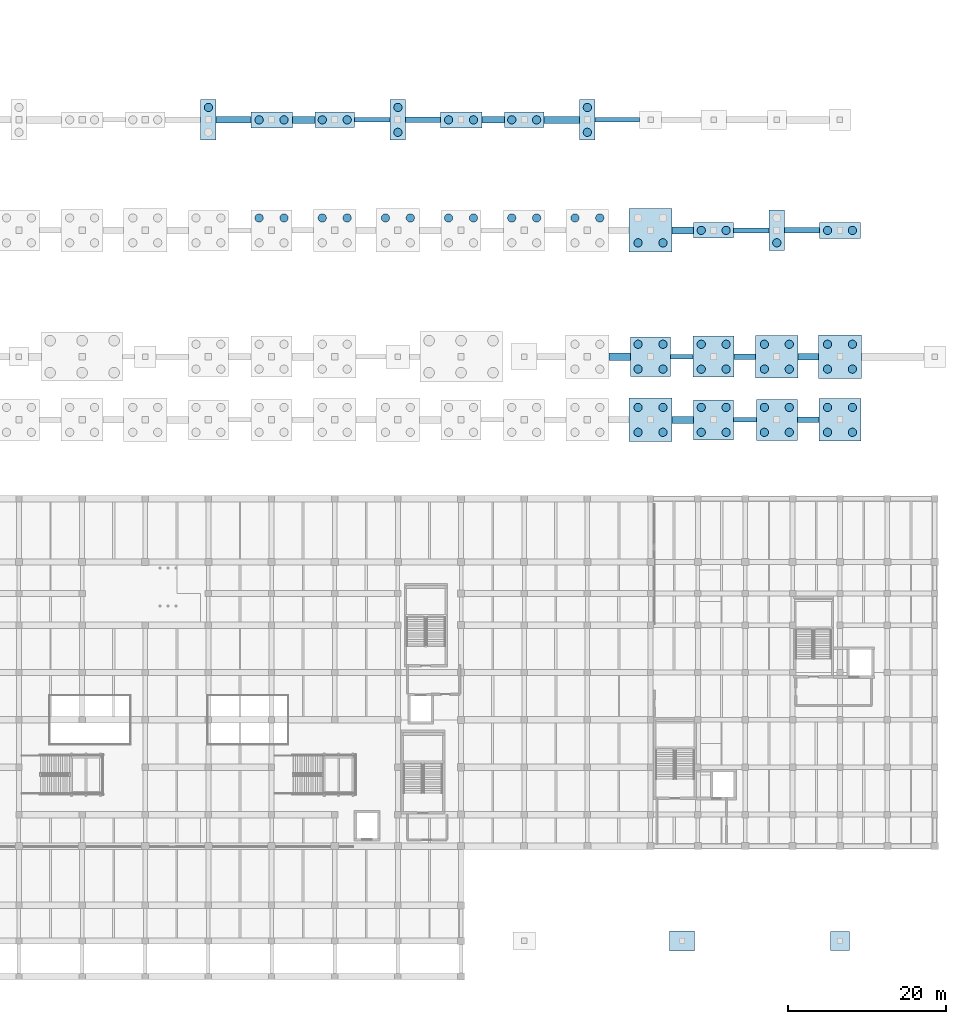
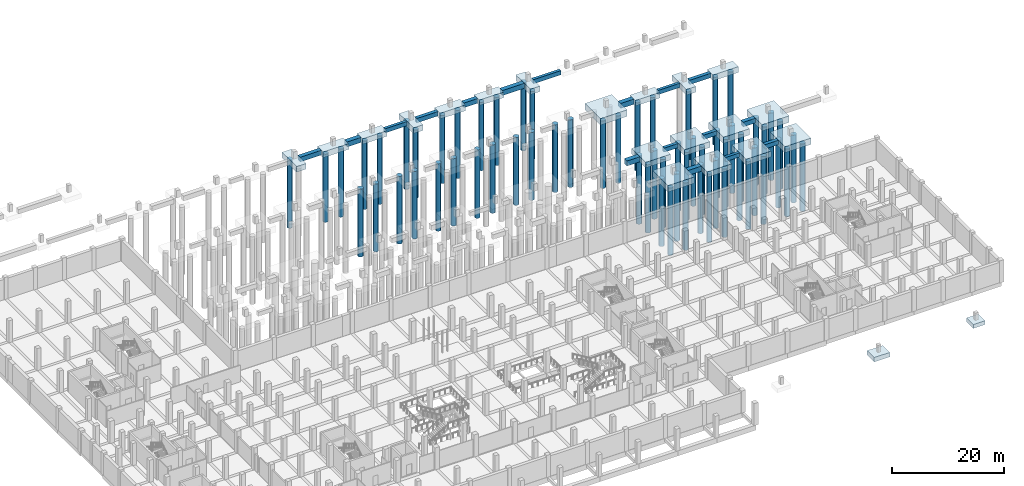
# One storey, part 3 of 36: 64 piles, 38 footings.
"""IFC4 building model written with IfcOpenShell, lengths in metres."""

from ifc_helpers import new_model, si_unit, direction, frame, origin, origin_2d, place, context, subcontext, project, spatial, rectangle, circle, extrude, material, material_profile, profile_set, type_object, element, save


model = new_model("IFC4")

# Units and contexts
model_context = context("Model", 3, precision=1e-05, world=origin(), true_north=direction((0.0, 1.0)))
body_context = subcontext(model_context, "Body", "Model", "MODEL_VIEW")
ifc_project = project(units=[si_unit("LENGTHUNIT", "METRE"), si_unit("AREAUNIT", "SQUARE_METRE"), si_unit("VOLUMEUNIT", "CUBIC_METRE"), si_unit("PLANEANGLEUNIT", "RADIAN"), si_unit("MASSUNIT", "GRAM", prefix="KILO")], contexts=[model_context])

# Site, building, storey
site_placement = place(None, origin())
site = spatial("IfcSite", under=ifc_project, at=site_placement, CompositionType="ELEMENT")
building_placement = place(site_placement, origin())
building = spatial("IfcBuilding", under=site, at=building_placement, Name="Verrall Gate Interchange", CompositionType="ELEMENT")
storey_placement = place(building_placement, frame((0.0, 0.0, -4.800048828125)))
storey = spatial("IfcBuildingStorey", under=building, at=storey_placement, Name="B1", CompositionType="ELEMENT", Elevation=-4.800048828125)

# Footings
ifc_material_1 = material(Name="Concrete CSA A23.1 35 MPa (Class S-2)", Category="concrete")
footing_type_1 = type_object("IfcFootingType", Name="PC-02A Pile Cap 5050x1950x1200", PredefinedType="PILE_CAP", material=ifc_material_1)
for number, where, z_axis, x_axis, name in (
    (1, (140.0, 90.0, 2.0), (0.0, 0.0, 1.0), (1.0, 0.0, 0.0), "Pile Cap FTG-CAP-39 (PC-02A)"),
    (2, (92.0, 104.0, 2.0), (0.0, 0.0, 1.0), (1.0, 0.0, 0.0), "Pile Cap FTG-CAP-48 (PC-02A)"),
    (3, (116.0, 104.0, 2.0), (0.0, 0.0, 1.0), (1.0, 0.0, 0.0), "Pile Cap FTG-CAP-51 (PC-02A)"),
):
    element("IfcFooting", number, at=place(storey_placement, frame(where, z_axis=z_axis, x_axis=x_axis)), inside=storey, type_object=footing_type_1, Name=name, PredefinedType="PILE_CAP", context=body_context, shape_type="SweptSolid", body=[
        extrude(rectangle(XDim=5.050048828125, YDim=1.949951171875, at=origin_2d()), origin(), (0.0, 0.0, 1.0), 1.199951171875),
    ])
ifc_material_2 = material(Name="Concrete CSA A23.1 35 MPa (Class S-2)", Category="concrete")
footing_type_2 = type_object("IfcFootingType", Name="PC-02B Pile Cap 1950x5150x1220", PredefinedType="PILE_CAP", material=ifc_material_2)
for number, where, z_axis, x_axis, name in (
    (4, (148.0, 90.0, 1.97998046875), (0.0, 0.0, 1.0), (1.0, 0.0, 0.0), "Pile Cap FTG-CAP-40 (PC-02B)"),
    (5, (76.0, 104.0, 1.97998046875), (0.0, 0.0, 1.0), (1.0, 0.0, 0.0), "Pile Cap FTG-CAP-46 (PC-02B)"),
    (6, (100.0, 104.0, 1.97998046875), (0.0, 0.0, 1.0), (1.0, 0.0, 0.0), "Pile Cap FTG-CAP-49 (PC-02B)"),
    (7, (124.0, 104.0, 1.97998046875), (0.0, 0.0, 1.0), (1.0, 0.0, 0.0), "Pile Cap FTG-CAP-52 (PC-02B)"),
):
    element("IfcFooting", number, at=place(storey_placement, frame(where, z_axis=z_axis, x_axis=x_axis)), inside=storey, type_object=footing_type_2, Name=name, PredefinedType="PILE_CAP", context=body_context, shape_type="SweptSolid", body=[
        extrude(rectangle(XDim=1.949951171875, YDim=5.14990234375, at=origin_2d()), origin(), (0.0, 0.0, 1.0), 1.219970703125),
    ])
ifc_material_3 = material(Name="Concrete CSA A23.1 35 MPa (Class S-2)", Category="concrete")
footing_type_3 = type_object("IfcFootingType", Name="PC-02C Pile Cap 5250x2050x1250", PredefinedType="PILE_CAP", material=ifc_material_3)
for number, where, z_axis, x_axis, name in (
    (8, (156.0, 90.0, 1.949951171875), (0.0, 0.0, 1.0), (1.0, 0.0, 0.0), "Pile Cap FTG-CAP-41 (PC-02C)"),
    (9, (84.0, 104.0, 1.949951171875), (0.0, 0.0, 1.0), (1.0, 0.0, 0.0), "Pile Cap FTG-CAP-47 (PC-02C)"),
    (10, (108.0, 104.0, 1.949951171875), (0.0, 0.0, 1.0), (1.0, 0.0, 0.0), "Pile Cap FTG-CAP-50 (PC-02C)"),
):
    element("IfcFooting", number, at=place(storey_placement, frame(where, z_axis=z_axis, x_axis=x_axis)), inside=storey, type_object=footing_type_3, Name=name, PredefinedType="PILE_CAP", context=body_context, shape_type="SweptSolid", body=[
        extrude(rectangle(XDim=5.25, YDim=2.050048828125, at=origin_2d()), origin(), (0.0, 0.0, 1.0), 1.25),
    ])
ifc_material_4 = material(Name="Concrete CSA A23.1 35 MPa (Class S-2)", Category="concrete")
footing_type_4 = type_object("IfcFootingType", Name="PC-04A Pile Cap 5050x5050x1200", PredefinedType="PILE_CAP", material=ifc_material_4)
for number, where, z_axis, x_axis, name in (
    (11, (140.0, 66.0, 2.0), (0.0, 0.0, 1.0), (1.0, 0.0, 0.0), "Pile Cap FTG-CAP-15 (PC-04A)"),
    (12, (132.0, 74.0, 2.0), (0.0, 0.0, 1.0), (1.0, 0.0, 0.0), "Pile Cap FTG-CAP-23 (PC-04A)"),
):
    element("IfcFooting", number, at=place(storey_placement, frame(where, z_axis=z_axis, x_axis=x_axis)), inside=storey, type_object=footing_type_4, Name=name, PredefinedType="PILE_CAP", context=body_context, shape_type="SweptSolid", body=[
        extrude(rectangle(XDim=5.050048828125, YDim=5.050048828125, at=origin_2d()), origin(), (0.0, 0.0, 1.0), 1.199951171875),
    ])
ifc_material_5 = material(Name="Concrete CSA A23.1 35 MPa (Class S-2)", Category="concrete")
footing_type_5 = type_object("IfcFootingType", Name="PC-04B Pile Cap 5200x5200x1300", PredefinedType="PILE_CAP", material=ifc_material_5)
for number, where, z_axis, x_axis, name in (
    (13, (148.0, 66.0, 1.89990234375), (0.0, 0.0, 1.0), (1.0, 0.0, 0.0), "Pile Cap FTG-CAP-16 (PC-04B)"),
    (14, (140.0, 74.0, 1.89990234375), (0.0, 0.0, 1.0), (1.0, 0.0, 0.0), "Pile Cap FTG-CAP-24 (PC-04B)"),
):
    element("IfcFooting", number, at=place(storey_placement, frame(where, z_axis=z_axis, x_axis=x_axis)), inside=storey, type_object=footing_type_5, Name=name, PredefinedType="PILE_CAP", context=body_context, shape_type="SweptSolid", body=[
        extrude(rectangle(XDim=5.199951171875, YDim=5.199951171875, at=origin_2d()), origin(), (0.0, 0.0, 1.0), 1.300048828125),
    ])
ifc_material_6 = material(Name="Concrete CSA A23.1 35 MPa (Class S-2)", Category="concrete")
footing_type_6 = type_object("IfcFootingType", Name="PC-04C Pile Cap 5350x5350x1350", PredefinedType="PILE_CAP", material=ifc_material_6)
for number, where, z_axis, x_axis, name in (
    (15, (156.0, 66.0, 1.85009765625), (0.0, 0.0, 1.0), (1.0, 0.0, 0.0), "Pile Cap FTG-CAP-17 (PC-04C)"),
    (16, (148.0, 74.0, 1.85009765625), (0.0, 0.0, 1.0), (1.0, 0.0, 0.0), "Pile Cap FTG-CAP-25 (PC-04C)"),
):
    element("IfcFooting", number, at=place(storey_placement, frame(where, z_axis=z_axis, x_axis=x_axis)), inside=storey, type_object=footing_type_6, Name=name, PredefinedType="PILE_CAP", context=body_context, shape_type="SweptSolid", body=[
        extrude(rectangle(XDim=5.35009765625, YDim=5.35009765625, at=origin_2d()), origin(), (0.0, 0.0, 1.0), 1.35009765625),
    ])
ifc_material_7 = material(Name="Concrete CSA A23.1 35 MPa (Class S-2)", Category="concrete")
footing_type_7 = type_object("IfcFootingType", Name="PC-04D Pile Cap 5500x5500x1400", PredefinedType="PILE_CAP", material=ifc_material_7)
for number, where, z_axis, x_axis, name in (
    (17, (132.0, 66.0, 1.800048828125), (0.0, 0.0, 1.0), (1.0, 0.0, 0.0), "Pile Cap FTG-CAP-14 (PC-04D)"),
    (18, (156.0, 74.0, 1.800048828125), (0.0, 0.0, 1.0), (1.0, 0.0, 0.0), "Pile Cap FTG-CAP-26 (PC-04D)"),
    (19, (132.0, 90.0, 1.800048828125), (0.0, 0.0, 1.0), (1.0, 0.0, 0.0), "Pile Cap FTG-CAP-38 (PC-04D)"),
):
    element("IfcFooting", number, at=place(storey_placement, frame(where, z_axis=z_axis, x_axis=x_axis)), inside=storey, type_object=footing_type_7, Name=name, PredefinedType="PILE_CAP", context=body_context, shape_type="SweptSolid", body=[
        extrude(rectangle(XDim=5.5, YDim=5.5, at=origin_2d()), origin(), (0.0, 0.0, 1.0), 1.39990234375),
    ])
ifc_material_8 = material(Name="Concrete CSA A23.1 35 MPa (Class S-2)", Category="concrete")
footing_type_8 = type_object("IfcFootingType", Name="PF-01 Pad Footing 2400x2400x850", PredefinedType="PAD_FOOTING", material=ifc_material_8)
footing_1_placement = place(storey_placement, frame((156.0, 0.0, 2.35009765625), z_axis=(0.0, 0.0, 1.0), x_axis=(1.0, 0.0, 0.0)))
element("IfcFooting", 20, at=footing_1_placement, inside=storey, type_object=footing_type_8, Name="Pad Footing FTG-PAD-19 (PF-01)", PredefinedType="PAD_FOOTING", context=body_context, shape_type="SweptSolid", body=[
    extrude(rectangle(XDim=2.39990234375, YDim=2.39990234375, at=origin_2d()), origin(), (0.0, 0.0, 1.0), 0.85009765625),
])
ifc_material_9 = material(Name="Concrete CSA A23.1 35 MPa (Class S-2)", Category="concrete")
footing_type_9 = type_object("IfcFootingType", Name="PF-06 Pad Footing 3200x2500x950", PredefinedType="PAD_FOOTING", material=ifc_material_9)
footing_2_placement = place(storey_placement, frame((136.0, 0.0, 2.25), z_axis=(0.0, 0.0, 1.0), x_axis=(1.0, 0.0, 0.0)))
element("IfcFooting", 21, at=footing_2_placement, inside=storey, type_object=footing_type_9, Name="Pad Footing FTG-PAD-18 (PF-06)", PredefinedType="PAD_FOOTING", context=body_context, shape_type="SweptSolid", body=[
    extrude(rectangle(XDim=3.199951171875, YDim=2.5, at=origin_2d()), origin(), (0.0, 0.0, 1.0), 0.949951171875),
])

# Piles
ifc_material_10 = material(Name="Concrete CSA A23.1 35 MPa (Class S-2)", Category="concrete")
ifc_material_profile = material_profile(ifc_material_10, circle(Radius=0.52490234375, at=origin_2d()), Name="PILE1050D")
ifc_profile_set = profile_set([ifc_material_profile], Name="Concrete CSA A23.1 35 MPa (Class S-2)")
pile_type = type_object("IfcPileType", Name="PT-02 Bored Pile 1050", PredefinedType="BORED", material=ifc_profile_set)
for number, where, z_axis, x_axis, name in (
    (22, (130.425048828125, 64.425048828125, 1.949951171875), (0.0, 0.0, -1.0), (1.0, 0.0, 0.0), "Bored Rock-Socketed Pile P-321 (PT-02)"),
    (23, (130.425048828125, 67.574951171875, 1.949951171875), (0.0, 0.0, -1.0), (1.0, 0.0, 0.0), "Bored Rock-Socketed Pile P-322 (PT-02)"),
    (24, (133.574951171875, 64.425048828125, 1.949951171875), (0.0, 0.0, -1.0), (1.0, 0.0, 0.0), "Bored Rock-Socketed Pile P-323 (PT-02)"),
    (25, (133.574951171875, 67.574951171875, 1.949951171875), (0.0, 0.0, -1.0), (1.0, 0.0, 0.0), "Bored Rock-Socketed Pile P-324 (PT-02)"),
):
    element("IfcPile", number, at=place(storey_placement, frame(where, z_axis=z_axis, x_axis=x_axis)), inside=storey, type_object=pile_type, Name=name, PredefinedType="BORED", context=body_context, shape_type="SweptSolid", body=[
        extrude(circle(Radius=0.52490234375, at=origin_2d()), origin(), (0.0, 0.0, 1.0), 14.64990234375),
    ])
for number, where, z_axis, x_axis, name in (
    (26, (138.425048828125, 64.425048828125, 2.150146484375), (0.0, 0.0, -1.0), (1.0, 0.0, 0.0), "Bored Rock-Socketed Pile P-325 (PT-02)"),
    (27, (138.425048828125, 67.574951171875, 2.150146484375), (0.0, 0.0, -1.0), (1.0, 0.0, 0.0), "Bored Rock-Socketed Pile P-326 (PT-02)"),
    (28, (141.574951171875, 64.425048828125, 2.150146484375), (0.0, 0.0, -1.0), (1.0, 0.0, 0.0), "Bored Rock-Socketed Pile P-327 (PT-02)"),
    (29, (141.574951171875, 67.574951171875, 2.150146484375), (0.0, 0.0, -1.0), (1.0, 0.0, 0.0), "Bored Rock-Socketed Pile P-328 (PT-02)"),
):
    element("IfcPile", number, at=place(storey_placement, frame(where, z_axis=z_axis, x_axis=x_axis)), inside=storey, type_object=pile_type, Name=name, PredefinedType="BORED", context=body_context, shape_type="SweptSolid", body=[
        extrude(circle(Radius=0.52490234375, at=origin_2d()), origin(), (0.0, 0.0, 1.0), 14.85009765625),
    ])
for number, where, z_axis, x_axis, name in (
    (30, (146.425048828125, 64.425048828125, 2.050048828125), (0.0, 0.0, -1.0), (1.0, 0.0, 0.0), "Bored Rock-Socketed Pile P-329 (PT-02)"),
    (31, (146.425048828125, 67.574951171875, 2.050048828125), (0.0, 0.0, -1.0), (1.0, 0.0, 0.0), "Bored Rock-Socketed Pile P-330 (PT-02)"),
    (32, (149.574951171875, 64.425048828125, 2.050048828125), (0.0, 0.0, -1.0), (1.0, 0.0, 0.0), "Bored Rock-Socketed Pile P-331 (PT-02)"),
    (33, (149.574951171875, 67.574951171875, 2.050048828125), (0.0, 0.0, -1.0), (1.0, 0.0, 0.0), "Bored Rock-Socketed Pile P-332 (PT-02)"),
):
    element("IfcPile", number, at=place(storey_placement, frame(where, z_axis=z_axis, x_axis=x_axis)), inside=storey, type_object=pile_type, Name=name, PredefinedType="BORED", context=body_context, shape_type="SweptSolid", body=[
        extrude(circle(Radius=0.52490234375, at=origin_2d()), origin(), (0.0, 0.0, 1.0), 14.75),
    ])
for number, where, z_axis, x_axis, name in (
    (34, (154.425048828125, 64.425048828125, 2.0), (0.0, 0.0, -1.0), (1.0, 0.0, 0.0), "Bored Rock-Socketed Pile P-333 (PT-02)"),
    (35, (154.425048828125, 67.574951171875, 2.0), (0.0, 0.0, -1.0), (1.0, 0.0, 0.0), "Bored Rock-Socketed Pile P-334 (PT-02)"),
    (36, (157.574951171875, 64.425048828125, 2.0), (0.0, 0.0, -1.0), (1.0, 0.0, 0.0), "Bored Rock-Socketed Pile P-335 (PT-02)"),
    (37, (157.574951171875, 67.574951171875, 2.0), (0.0, 0.0, -1.0), (1.0, 0.0, 0.0), "Bored Rock-Socketed Pile P-336 (PT-02)"),
):
    element("IfcPile", number, at=place(storey_placement, frame(where, z_axis=z_axis, x_axis=x_axis)), inside=storey, type_object=pile_type, Name=name, PredefinedType="BORED", context=body_context, shape_type="SweptSolid", body=[
        extrude(circle(Radius=0.52490234375, at=origin_2d()), origin(), (0.0, 0.0, 1.0), 14.699951171875),
    ])
for number, where, z_axis, x_axis, name in (
    (38, (130.425048828125, 72.425048828125, 2.150146484375), (0.0, 0.0, -1.0), (1.0, 0.0, 0.0), "Bored Rock-Socketed Pile P-357 (PT-02)"),
    (39, (130.425048828125, 75.574951171875, 2.150146484375), (0.0, 0.0, -1.0), (1.0, 0.0, 0.0), "Bored Rock-Socketed Pile P-358 (PT-02)"),
    (40, (133.574951171875, 72.425048828125, 2.150146484375), (0.0, 0.0, -1.0), (1.0, 0.0, 0.0), "Bored Rock-Socketed Pile P-359 (PT-02)"),
    (41, (133.574951171875, 75.574951171875, 2.150146484375), (0.0, 0.0, -1.0), (1.0, 0.0, 0.0), "Bored Rock-Socketed Pile P-360 (PT-02)"),
):
    element("IfcPile", number, at=place(storey_placement, frame(where, z_axis=z_axis, x_axis=x_axis)), inside=storey, type_object=pile_type, Name=name, PredefinedType="BORED", context=body_context, shape_type="SweptSolid", body=[
        extrude(circle(Radius=0.52490234375, at=origin_2d()), origin(), (0.0, 0.0, 1.0), 14.85009765625),
    ])
for number, where, z_axis, x_axis, name in (
    (42, (138.425048828125, 72.425048828125, 2.050048828125), (0.0, 0.0, -1.0), (1.0, 0.0, 0.0), "Bored Rock-Socketed Pile P-361 (PT-02)"),
    (43, (138.425048828125, 75.574951171875, 2.050048828125), (0.0, 0.0, -1.0), (1.0, 0.0, 0.0), "Bored Rock-Socketed Pile P-362 (PT-02)"),
    (44, (141.574951171875, 72.425048828125, 2.050048828125), (0.0, 0.0, -1.0), (1.0, 0.0, 0.0), "Bored Rock-Socketed Pile P-363 (PT-02)"),
    (45, (141.574951171875, 75.574951171875, 2.050048828125), (0.0, 0.0, -1.0), (1.0, 0.0, 0.0), "Bored Rock-Socketed Pile P-364 (PT-02)"),
):
    element("IfcPile", number, at=place(storey_placement, frame(where, z_axis=z_axis, x_axis=x_axis)), inside=storey, type_object=pile_type, Name=name, PredefinedType="BORED", context=body_context, shape_type="SweptSolid", body=[
        extrude(circle(Radius=0.52490234375, at=origin_2d()), origin(), (0.0, 0.0, 1.0), 14.75),
    ])
for number, where, z_axis, x_axis, name in (
    (46, (146.425048828125, 72.425048828125, 2.0), (0.0, 0.0, -1.0), (1.0, 0.0, 0.0), "Bored Rock-Socketed Pile P-365 (PT-02)"),
    (47, (146.425048828125, 75.574951171875, 2.0), (0.0, 0.0, -1.0), (1.0, 0.0, 0.0), "Bored Rock-Socketed Pile P-366 (PT-02)"),
    (48, (149.574951171875, 72.425048828125, 2.0), (0.0, 0.0, -1.0), (1.0, 0.0, 0.0), "Bored Rock-Socketed Pile P-367 (PT-02)"),
    (49, (149.574951171875, 75.574951171875, 2.0), (0.0, 0.0, -1.0), (1.0, 0.0, 0.0), "Bored Rock-Socketed Pile P-368 (PT-02)"),
):
    element("IfcPile", number, at=place(storey_placement, frame(where, z_axis=z_axis, x_axis=x_axis)), inside=storey, type_object=pile_type, Name=name, PredefinedType="BORED", context=body_context, shape_type="SweptSolid", body=[
        extrude(circle(Radius=0.52490234375, at=origin_2d()), origin(), (0.0, 0.0, 1.0), 14.699951171875),
    ])
for number, where, z_axis, x_axis, name in (
    (50, (154.425048828125, 72.425048828125, 1.949951171875), (0.0, 0.0, -1.0), (1.0, 0.0, 0.0), "Bored Rock-Socketed Pile P-369 (PT-02)"),
    (51, (154.425048828125, 75.574951171875, 1.949951171875), (0.0, 0.0, -1.0), (1.0, 0.0, 0.0), "Bored Rock-Socketed Pile P-370 (PT-02)"),
    (52, (157.574951171875, 72.425048828125, 1.949951171875), (0.0, 0.0, -1.0), (1.0, 0.0, 0.0), "Bored Rock-Socketed Pile P-371 (PT-02)"),
    (53, (157.574951171875, 75.574951171875, 1.949951171875), (0.0, 0.0, -1.0), (1.0, 0.0, 0.0), "Bored Rock-Socketed Pile P-372 (PT-02)"),
):
    element("IfcPile", number, at=place(storey_placement, frame(where, z_axis=z_axis, x_axis=x_axis)), inside=storey, type_object=pile_type, Name=name, PredefinedType="BORED", context=body_context, shape_type="SweptSolid", body=[
        extrude(circle(Radius=0.52490234375, at=origin_2d()), origin(), (0.0, 0.0, 1.0), 14.64990234375),
    ])
for number, where, z_axis, x_axis, name in (
    (54, (82.425048828125, 91.574951171875, 2.050048828125), (0.0, 0.0, -1.0), (1.0, 0.0, 0.0), "Bored Rock-Socketed Pile P-394 (PT-02)"),
    (55, (85.574951171875, 91.574951171875, 2.050048828125), (0.0, 0.0, -1.0), (1.0, 0.0, 0.0), "Bored Rock-Socketed Pile P-396 (PT-02)"),
):
    element("IfcPile", number, at=place(storey_placement, frame(where, z_axis=z_axis, x_axis=x_axis)), inside=storey, type_object=pile_type, Name=name, PredefinedType="BORED", context=body_context, shape_type="SweptSolid", body=[
        extrude(circle(Radius=0.52490234375, at=origin_2d()), origin(), (0.0, 0.0, 1.0), 14.75),
    ])
for number, where, z_axis, x_axis, name in (
    (56, (90.425048828125, 91.574951171875, 2.0), (0.0, 0.0, -1.0), (1.0, 0.0, 0.0), "Bored Rock-Socketed Pile P-398 (PT-02)"),
    (57, (93.574951171875, 91.574951171875, 2.0), (0.0, 0.0, -1.0), (1.0, 0.0, 0.0), "Bored Rock-Socketed Pile P-400 (PT-02)"),
):
    element("IfcPile", number, at=place(storey_placement, frame(where, z_axis=z_axis, x_axis=x_axis)), inside=storey, type_object=pile_type, Name=name, PredefinedType="BORED", context=body_context, shape_type="SweptSolid", body=[
        extrude(circle(Radius=0.52490234375, at=origin_2d()), origin(), (0.0, 0.0, 1.0), 14.699951171875),
    ])
for number, where, z_axis, x_axis, name in (
    (58, (98.425048828125, 91.574951171875, 1.949951171875), (0.0, 0.0, -1.0), (1.0, 0.0, 0.0), "Bored Rock-Socketed Pile P-402 (PT-02)"),
    (59, (101.574951171875, 91.574951171875, 1.949951171875), (0.0, 0.0, -1.0), (1.0, 0.0, 0.0), "Bored Rock-Socketed Pile P-404 (PT-02)"),
):
    element("IfcPile", number, at=place(storey_placement, frame(where, z_axis=z_axis, x_axis=x_axis)), inside=storey, type_object=pile_type, Name=name, PredefinedType="BORED", context=body_context, shape_type="SweptSolid", body=[
        extrude(circle(Radius=0.52490234375, at=origin_2d()), origin(), (0.0, 0.0, 1.0), 14.64990234375),
    ])
for number, where, z_axis, x_axis, name in (
    (60, (106.425048828125, 91.574951171875, 2.150146484375), (0.0, 0.0, -1.0), (1.0, 0.0, 0.0), "Bored Rock-Socketed Pile P-406 (PT-02)"),
    (61, (109.574951171875, 91.574951171875, 2.150146484375), (0.0, 0.0, -1.0), (1.0, 0.0, 0.0), "Bored Rock-Socketed Pile P-408 (PT-02)"),
):
    element("IfcPile", number, at=place(storey_placement, frame(where, z_axis=z_axis, x_axis=x_axis)), inside=storey, type_object=pile_type, Name=name, PredefinedType="BORED", context=body_context, shape_type="SweptSolid", body=[
        extrude(circle(Radius=0.52490234375, at=origin_2d()), origin(), (0.0, 0.0, 1.0), 14.85009765625),
    ])
for number, where, z_axis, x_axis, name in (
    (62, (114.425048828125, 91.574951171875, 2.050048828125), (0.0, 0.0, -1.0), (1.0, 0.0, 0.0), "Bored Rock-Socketed Pile P-410 (PT-02)"),
    (63, (117.574951171875, 91.574951171875, 2.050048828125), (0.0, 0.0, -1.0), (1.0, 0.0, 0.0), "Bored Rock-Socketed Pile P-412 (PT-02)"),
):
    element("IfcPile", number, at=place(storey_placement, frame(where, z_axis=z_axis, x_axis=x_axis)), inside=storey, type_object=pile_type, Name=name, PredefinedType="BORED", context=body_context, shape_type="SweptSolid", body=[
        extrude(circle(Radius=0.52490234375, at=origin_2d()), origin(), (0.0, 0.0, 1.0), 14.75),
    ])
for number, where, z_axis, x_axis, name in (
    (64, (122.425048828125, 91.574951171875, 2.0), (0.0, 0.0, -1.0), (1.0, 0.0, 0.0), "Bored Rock-Socketed Pile P-414 (PT-02)"),
    (65, (125.574951171875, 91.574951171875, 2.0), (0.0, 0.0, -1.0), (1.0, 0.0, 0.0), "Bored Rock-Socketed Pile P-416 (PT-02)"),
):
    element("IfcPile", number, at=place(storey_placement, frame(where, z_axis=z_axis, x_axis=x_axis)), inside=storey, type_object=pile_type, Name=name, PredefinedType="BORED", context=body_context, shape_type="SweptSolid", body=[
        extrude(circle(Radius=0.52490234375, at=origin_2d()), origin(), (0.0, 0.0, 1.0), 14.699951171875),
    ])
for number, where, z_axis, x_axis, name in (
    (66, (130.425048828125, 88.425048828125, 1.949951171875), (0.0, 0.0, -1.0), (1.0, 0.0, 0.0), "Bored Rock-Socketed Pile P-417 (PT-02)"),
    (67, (133.574951171875, 88.425048828125, 1.949951171875), (0.0, 0.0, -1.0), (1.0, 0.0, 0.0), "Bored Rock-Socketed Pile P-419 (PT-02)"),
):
    element("IfcPile", number, at=place(storey_placement, frame(where, z_axis=z_axis, x_axis=x_axis)), inside=storey, type_object=pile_type, Name=name, PredefinedType="BORED", context=body_context, shape_type="SweptSolid", body=[
        extrude(circle(Radius=0.52490234375, at=origin_2d()), origin(), (0.0, 0.0, 1.0), 14.64990234375),
    ])
for number, where, z_axis, x_axis, name in (
    (68, (138.425048828125, 90.0, 2.150146484375), (0.0, 0.0, -1.0), (1.0, 0.0, 0.0), "Bored Rock-Socketed Pile P-421 (PT-02)"),
    (69, (141.574951171875, 90.0, 2.150146484375), (0.0, 0.0, -1.0), (1.0, 0.0, 0.0), "Bored Rock-Socketed Pile P-422 (PT-02)"),
):
    element("IfcPile", number, at=place(storey_placement, frame(where, z_axis=z_axis, x_axis=x_axis)), inside=storey, type_object=pile_type, Name=name, PredefinedType="BORED", context=body_context, shape_type="SweptSolid", body=[
        extrude(circle(Radius=0.52490234375, at=origin_2d()), origin(), (0.0, 0.0, 1.0), 14.85009765625),
    ])
pile_1_placement = place(storey_placement, frame((148.0, 88.425048828125, 2.130126953125), z_axis=(0.0, 0.0, -1.0), x_axis=(1.0, 0.0, 0.0)))
element("IfcPile", 70, at=pile_1_placement, inside=storey, type_object=pile_type, Name="Bored Rock-Socketed Pile P-423 (PT-02)", PredefinedType="BORED", context=body_context, shape_type="SweptSolid", body=[
    extrude(circle(Radius=0.52490234375, at=origin_2d()), origin(), (0.0, 0.0, 1.0), 14.830078125),
])
for number, where, z_axis, x_axis, name in (
    (71, (154.425048828125, 90.0, 2.10009765625), (0.0, 0.0, -1.0), (1.0, 0.0, 0.0), "Bored Rock-Socketed Pile P-425 (PT-02)"),
    (72, (157.574951171875, 90.0, 2.10009765625), (0.0, 0.0, -1.0), (1.0, 0.0, 0.0), "Bored Rock-Socketed Pile P-426 (PT-02)"),
):
    element("IfcPile", number, at=place(storey_placement, frame(where, z_axis=z_axis, x_axis=x_axis)), inside=storey, type_object=pile_type, Name=name, PredefinedType="BORED", context=body_context, shape_type="SweptSolid", body=[
        extrude(circle(Radius=0.52490234375, at=origin_2d()), origin(), (0.0, 0.0, 1.0), 14.800048828125),
    ])
pile_2_placement = place(storey_placement, frame((76.0, 105.574951171875, 2.130126953125), z_axis=(0.0, 0.0, -1.0), x_axis=(1.0, 0.0, 0.0)))
element("IfcPile", 73, at=pile_2_placement, inside=storey, type_object=pile_type, Name="Bored Rock-Socketed Pile P-436 (PT-02)", PredefinedType="BORED", context=body_context, shape_type="SweptSolid", body=[
    extrude(circle(Radius=0.52490234375, at=origin_2d()), origin(), (0.0, 0.0, 1.0), 14.830078125),
])
for number, where, z_axis, x_axis, name in (
    (74, (82.425048828125, 104.0, 2.10009765625), (0.0, 0.0, -1.0), (1.0, 0.0, 0.0), "Bored Rock-Socketed Pile P-437 (PT-02)"),
    (75, (85.574951171875, 104.0, 2.10009765625), (0.0, 0.0, -1.0), (1.0, 0.0, 0.0), "Bored Rock-Socketed Pile P-438 (PT-02)"),
):
    element("IfcPile", number, at=place(storey_placement, frame(where, z_axis=z_axis, x_axis=x_axis)), inside=storey, type_object=pile_type, Name=name, PredefinedType="BORED", context=body_context, shape_type="SweptSolid", body=[
        extrude(circle(Radius=0.52490234375, at=origin_2d()), origin(), (0.0, 0.0, 1.0), 14.800048828125),
    ])
for number, where, z_axis, x_axis, name in (
    (76, (90.425048828125, 104.0, 2.150146484375), (0.0, 0.0, -1.0), (1.0, 0.0, 0.0), "Bored Rock-Socketed Pile P-439 (PT-02)"),
    (77, (93.574951171875, 104.0, 2.150146484375), (0.0, 0.0, -1.0), (1.0, 0.0, 0.0), "Bored Rock-Socketed Pile P-440 (PT-02)"),
):
    element("IfcPile", number, at=place(storey_placement, frame(where, z_axis=z_axis, x_axis=x_axis)), inside=storey, type_object=pile_type, Name=name, PredefinedType="BORED", context=body_context, shape_type="SweptSolid", body=[
        extrude(circle(Radius=0.52490234375, at=origin_2d()), origin(), (0.0, 0.0, 1.0), 14.85009765625),
    ])
for number, where, z_axis, x_axis, name in (
    (78, (100.0, 102.425048828125, 2.130126953125), (0.0, 0.0, -1.0), (1.0, 0.0, 0.0), "Bored Rock-Socketed Pile P-441 (PT-02)"),
    (79, (100.0, 105.574951171875, 2.130126953125), (0.0, 0.0, -1.0), (1.0, 0.0, 0.0), "Bored Rock-Socketed Pile P-442 (PT-02)"),
):
    element("IfcPile", number, at=place(storey_placement, frame(where, z_axis=z_axis, x_axis=x_axis)), inside=storey, type_object=pile_type, Name=name, PredefinedType="BORED", context=body_context, shape_type="SweptSolid", body=[
        extrude(circle(Radius=0.52490234375, at=origin_2d()), origin(), (0.0, 0.0, 1.0), 14.830078125),
    ])
for number, where, z_axis, x_axis, name in (
    (80, (106.425048828125, 104.0, 2.10009765625), (0.0, 0.0, -1.0), (1.0, 0.0, 0.0), "Bored Rock-Socketed Pile P-443 (PT-02)"),
    (81, (109.574951171875, 104.0, 2.10009765625), (0.0, 0.0, -1.0), (1.0, 0.0, 0.0), "Bored Rock-Socketed Pile P-444 (PT-02)"),
):
    element("IfcPile", number, at=place(storey_placement, frame(where, z_axis=z_axis, x_axis=x_axis)), inside=storey, type_object=pile_type, Name=name, PredefinedType="BORED", context=body_context, shape_type="SweptSolid", body=[
        extrude(circle(Radius=0.52490234375, at=origin_2d()), origin(), (0.0, 0.0, 1.0), 14.800048828125),
    ])
for number, where, z_axis, x_axis, name in (
    (82, (114.425048828125, 104.0, 2.150146484375), (0.0, 0.0, -1.0), (1.0, 0.0, 0.0), "Bored Rock-Socketed Pile P-445 (PT-02)"),
    (83, (117.574951171875, 104.0, 2.150146484375), (0.0, 0.0, -1.0), (1.0, 0.0, 0.0), "Bored Rock-Socketed Pile P-446 (PT-02)"),
):
    element("IfcPile", number, at=place(storey_placement, frame(where, z_axis=z_axis, x_axis=x_axis)), inside=storey, type_object=pile_type, Name=name, PredefinedType="BORED", context=body_context, shape_type="SweptSolid", body=[
        extrude(circle(Radius=0.52490234375, at=origin_2d()), origin(), (0.0, 0.0, 1.0), 14.85009765625),
    ])
for number, where, z_axis, x_axis, name in (
    (84, (124.0, 102.425048828125, 2.130126953125), (0.0, 0.0, -1.0), (1.0, 0.0, 0.0), "Bored Rock-Socketed Pile P-447 (PT-02)"),
    (85, (124.0, 105.574951171875, 2.130126953125), (0.0, 0.0, -1.0), (1.0, 0.0, 0.0), "Bored Rock-Socketed Pile P-448 (PT-02)"),
):
    element("IfcPile", number, at=place(storey_placement, frame(where, z_axis=z_axis, x_axis=x_axis)), inside=storey, type_object=pile_type, Name=name, PredefinedType="BORED", context=body_context, shape_type="SweptSolid", body=[
        extrude(circle(Radius=0.52490234375, at=origin_2d()), origin(), (0.0, 0.0, 1.0), 14.830078125),
    ])

# Footings
ifc_material_11 = material(Name="Concrete CSA A23.1 35 MPa (Class S-2)", Category="concrete")
footing_type_10 = type_object("IfcFootingType", Name="SF-01 Strip Footing 600x900", PredefinedType="STRIP_FOOTING", material=ifc_material_11)
for number, where, z_axis, x_axis, name in (
    (86, (143.96240234375, 66.0, 2.300048828125), (0.0, 0.0, 1.0), (1.0, 0.0, 0.0), "Grade Strip Footing FTG-SF-13"),
    (87, (135.96240234375, 74.0, 2.300048828125), (0.0, 0.0, 1.0), (1.0, 0.0, 0.0), "Grade Strip Footing FTG-SF-25"),
):
    element("IfcFooting", number, at=place(storey_placement, frame(where, z_axis=z_axis, x_axis=x_axis)), inside=storey, type_object=footing_type_10, Name=name, PredefinedType="STRIP_FOOTING", context=body_context, shape_type="SweptSolid", body=[
        extrude(rectangle(XDim=2.875, YDim=0.60009765625, at=origin_2d()), origin(), (0.0, 0.0, 1.0), 0.89990234375),
    ])
for number, where, z_axis, x_axis, name in (
    (88, (144.77490234375, 90.0, 2.300048828125), (0.0, 0.0, 1.0), (1.0, 0.0, 0.0), "Grade Strip Footing FTG-SF-41"),
    (89, (96.77490234375, 104.0, 2.300048828125), (0.0, 0.0, 1.0), (1.0, 0.0, 0.0), "Grade Strip Footing FTG-SF-53"),
):
    element("IfcFooting", number, at=place(storey_placement, frame(where, z_axis=z_axis, x_axis=x_axis)), inside=storey, type_object=footing_type_10, Name=name, PredefinedType="STRIP_FOOTING", context=body_context, shape_type="SweptSolid", body=[
        extrude(rectangle(XDim=4.5, YDim=0.60009765625, at=origin_2d()), origin(), (0.0, 0.0, 1.0), 0.89990234375),
    ])
footing_3_placement = place(storey_placement, frame((127.78759765625, 104.0, 2.300048828125), z_axis=(0.0, 0.0, 1.0), x_axis=(1.0, 0.0, 0.0)))
element("IfcFooting", 90, at=footing_3_placement, inside=storey, type_object=footing_type_10, Name="Grade Strip Footing FTG-SF-57", PredefinedType="STRIP_FOOTING", context=body_context, shape_type="SweptSolid", body=[
    extrude(rectangle(XDim=5.625, YDim=0.60009765625, at=origin_2d()), origin(), (0.0, 0.0, 1.0), 0.89990234375),
])
ifc_material_12 = material(Name="Concrete CSA A23.1 35 MPa (Class S-2)", Category="concrete")
footing_type_11 = type_object("IfcFootingType", Name="SF-02 Strip Footing 700x950", PredefinedType="STRIP_FOOTING", material=ifc_material_12)
for number, where, z_axis, x_axis, name in (
    (91, (151.96240234375, 66.0, 2.25), (0.0, 0.0, 1.0), (1.0, 0.0, 0.0), "Grade Strip Footing FTG-SF-14"),
    (92, (143.96240234375, 74.0, 2.25), (0.0, 0.0, 1.0), (1.0, 0.0, 0.0), "Grade Strip Footing FTG-SF-26"),
):
    element("IfcFooting", number, at=place(storey_placement, frame(where, z_axis=z_axis, x_axis=x_axis)), inside=storey, type_object=footing_type_11, Name=name, PredefinedType="STRIP_FOOTING", context=body_context, shape_type="SweptSolid", body=[
        extrude(rectangle(XDim=2.72509765625, YDim=0.699951171875, at=origin_2d()), origin(), (0.0, 0.0, 1.0), 0.949951171875),
    ])
for number, where, z_axis, x_axis, name in (
    (93, (151.175048828125, 90.0, 2.25), (0.0, 0.0, 1.0), (1.0, 0.0, 0.0), "Grade Strip Footing FTG-SF-42"),
    (94, (103.175048828125, 104.0, 2.25), (0.0, 0.0, 1.0), (1.0, 0.0, 0.0), "Grade Strip Footing FTG-SF-54"),
):
    element("IfcFooting", number, at=place(storey_placement, frame(where, z_axis=z_axis, x_axis=x_axis)), inside=storey, type_object=footing_type_11, Name=name, PredefinedType="STRIP_FOOTING", context=body_context, shape_type="SweptSolid", body=[
        extrude(rectangle(XDim=4.39990234375, YDim=0.699951171875, at=origin_2d()), origin(), (0.0, 0.0, 1.0), 0.949951171875),
    ])
ifc_material_13 = material(Name="Concrete CSA A23.1 35 MPa (Class S-2)", Category="concrete")
footing_type_12 = type_object("IfcFootingType", Name="SF-03 Strip Footing 800x1000", PredefinedType="STRIP_FOOTING", material=ifc_material_13)
footing_4_placement = place(storey_placement, frame((151.96240234375, 74.0, 2.199951171875), z_axis=(0.0, 0.0, 1.0), x_axis=(1.0, 0.0, 0.0)))
element("IfcFooting", 95, at=footing_4_placement, inside=storey, type_object=footing_type_12, Name="Grade Strip Footing FTG-SF-27", PredefinedType="STRIP_FOOTING", context=body_context, shape_type="SweptSolid", body=[
    extrude(rectangle(XDim=2.574951171875, YDim=0.800048828125, at=origin_2d()), origin(), (0.0, 0.0, 1.0), 1.0),
])
footing_5_placement = place(storey_placement, frame((79.175048828125, 104.0, 2.199951171875), z_axis=(0.0, 0.0, 1.0), x_axis=(1.0, 0.0, 0.0)))
element("IfcFooting", 96, at=footing_5_placement, inside=storey, type_object=footing_type_12, Name="Grade Strip Footing FTG-SF-51", PredefinedType="STRIP_FOOTING", context=body_context, shape_type="SweptSolid", body=[
    extrude(rectangle(XDim=4.39990234375, YDim=0.800048828125, at=origin_2d()), origin(), (0.0, 0.0, 1.0), 1.0),
])
footing_6_placement = place(storey_placement, frame((112.050048828125, 104.0, 2.199951171875), z_axis=(0.0, 0.0, 1.0), x_axis=(1.0, 0.0, 0.0)))
element("IfcFooting", 97, at=footing_6_placement, inside=storey, type_object=footing_type_12, Name="Grade Strip Footing FTG-SF-55", PredefinedType="STRIP_FOOTING", context=body_context, shape_type="SweptSolid", body=[
    extrude(rectangle(XDim=2.85009765625, YDim=0.800048828125, at=origin_2d()), origin(), (0.0, 0.0, 1.0), 1.0),
])
ifc_material_14 = material(Name="Concrete CSA A23.1 35 MPa (Class S-2)", Category="concrete")
footing_type_13 = type_object("IfcFootingType", Name="SF-04 Strip Footing 900x1100", PredefinedType="STRIP_FOOTING", material=ifc_material_14)
for number, where, z_axis, x_axis, name in (
    (98, (136.112548828125, 66.0, 2.10009765625), (0.0, 0.0, 1.0), (1.0, 0.0, 0.0), "Grade Strip Footing FTG-SF-12"),
    (99, (128.112548828125, 74.0, 2.10009765625), (0.0, 0.0, 1.0), (1.0, 0.0, 0.0), "Grade Strip Footing FTG-SF-24"),
    (100, (136.112548828125, 90.0, 2.10009765625), (0.0, 0.0, 1.0), (1.0, 0.0, 0.0), "Grade Strip Footing FTG-SF-40"),
):
    element("IfcFooting", number, at=place(storey_placement, frame(where, z_axis=z_axis, x_axis=x_axis)), inside=storey, type_object=footing_type_13, Name=name, PredefinedType="STRIP_FOOTING", context=body_context, shape_type="SweptSolid", body=[
        extrude(rectangle(XDim=2.72509765625, YDim=0.89990234375, at=origin_2d()), origin(), (0.0, 0.0, 1.0), 1.10009765625),
    ])
footing_7_placement = place(storey_placement, frame((88.050048828125, 104.0, 2.10009765625), z_axis=(0.0, 0.0, 1.0), x_axis=(1.0, 0.0, 0.0)))
element("IfcFooting", 101, at=footing_7_placement, inside=storey, type_object=footing_type_13, Name="Grade Strip Footing FTG-SF-52", PredefinedType="STRIP_FOOTING", context=body_context, shape_type="SweptSolid", body=[
    extrude(rectangle(XDim=2.85009765625, YDim=0.89990234375, at=origin_2d()), origin(), (0.0, 0.0, 1.0), 1.10009765625),
])
footing_8_placement = place(storey_placement, frame((120.77490234375, 104.0, 2.10009765625), z_axis=(0.0, 0.0, 1.0), x_axis=(1.0, 0.0, 0.0)))
element("IfcFooting", 102, at=footing_8_placement, inside=storey, type_object=footing_type_13, Name="Grade Strip Footing FTG-SF-56", PredefinedType="STRIP_FOOTING", context=body_context, shape_type="SweptSolid", body=[
    extrude(rectangle(XDim=4.5, YDim=0.89990234375, at=origin_2d()), origin(), (0.0, 0.0, 1.0), 1.10009765625),
])

save(model, "model.ifc")
